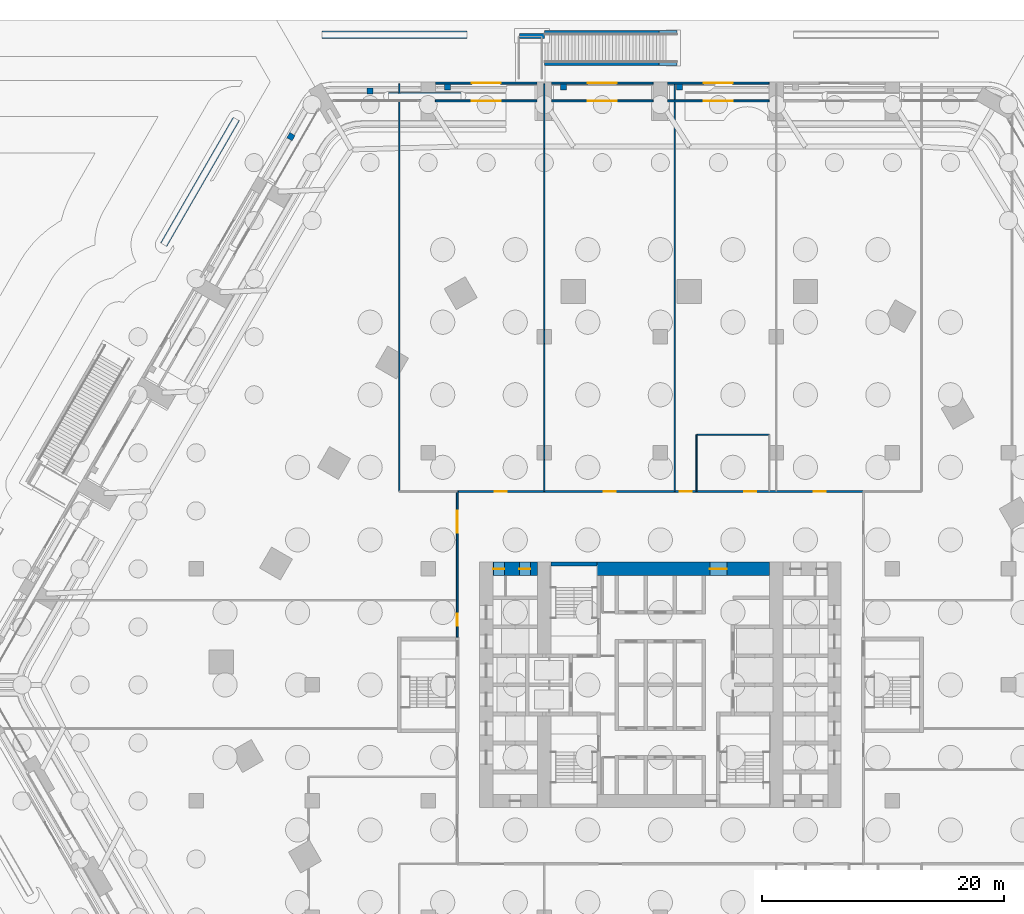
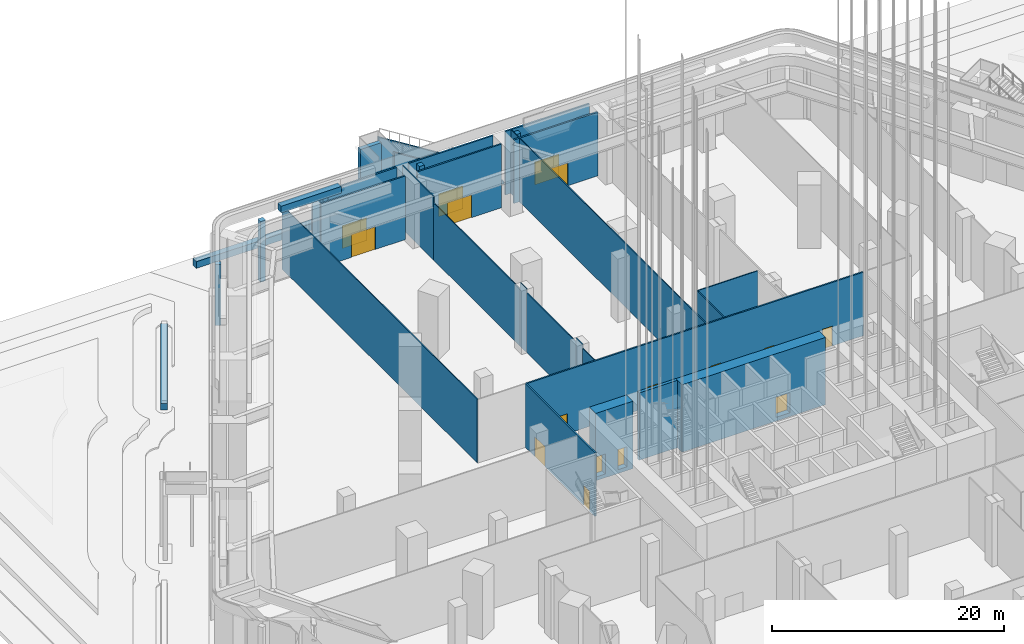
# One storey, part 19 of 68: 32 walls, 16 doors, 16 openings.
"""IFC4 building model written with IfcOpenShell, lengths in metres."""

from ifc_helpers import new_model, si_unit, direction, frame, frame_2d, origin, place, context, subcontext, project, spatial, polyline, rectangle, outline, extrude, material, layer, layer_set, type_object, element, fill, save


model = new_model("IFC4")

# Units and contexts
model_context = context("Model", 3, precision=1e-05, world=origin(), true_north=direction((0.0, 1.0)))
body_context = subcontext(model_context, "Body", "Model", "MODEL_VIEW")
ifc_project = project(units=[si_unit("LENGTHUNIT", "METRE"), si_unit("AREAUNIT", "SQUARE_METRE"), si_unit("VOLUMEUNIT", "CUBIC_METRE"), si_unit("PLANEANGLEUNIT", "RADIAN"), si_unit("MASSUNIT", "GRAM", prefix="KILO")], contexts=[model_context])

# Site, building, storey
site_placement = place(None, origin())
site = spatial("IfcSite", under=ifc_project, at=site_placement, CompositionType="ELEMENT")
building_placement = place(site_placement, origin())
building = spatial("IfcBuilding", under=site, at=building_placement, Name="Kolab Exchange Tower", CompositionType="ELEMENT")
storey_placement = place(building_placement, origin())
storey = spatial("IfcBuildingStorey", under=building, at=storey_placement, Name="L00", CompositionType="ELEMENT", Elevation=0.0)

# Wall, openings, doors
ifc_material_1 = material(Name="Concrete C80/95", Category="concrete")
ifc_layer_1 = layer(ifc_material_1, 1.10009765625)
ifc_layer_set_1 = layer_set([ifc_layer_1], Name="Concrete C80/95")
wall_type_1 = type_object("IfcWallType", Name="CORE WALL 1100 C80/95", PredefinedType="SHEAR", material=ifc_layer_set_1)
wall_1_placement = place(storey_placement, frame((-13.85009765625, 9.60009765625, -0.39990234375), z_axis=(0.0, 0.0, 1.0), x_axis=(1.0, 0.0, 0.0)))
wall_1 = element("IfcWall", 1, at=wall_1_placement, inside=storey, type_object=wall_type_1, Name="wall/L00/core/051", PredefinedType="SHEAR", context=body_context, shape_type="SweptSolid", body=[
    extrude(rectangle(XDim=3.7001953125, YDim=1.10009765625, at=frame_2d((1.85009765625, 0.0))), origin(), (0.0, 0.0, 1.0), 7.099853515625),
])
opening_1_placement = place(wall_1_placement, frame((0.050048828125, 0.0, 0.39990234375)))
opening_1 = element("IfcOpeningElement", 2, at=opening_1_placement, cuts=wall_1, Name="Opening D6-015", PredefinedType="OPENING", context=body_context, shape_type="SweptSolid", body=[
    extrude(rectangle(XDim=0.89990234375, YDim=2.10009765625, at=frame_2d((0.449951171875, 1.050048828125))), frame((0.0, 0.56005859375, 0.0), z_axis=(0.0, -1.0, 0.0), x_axis=(1.0, 0.0, 0.0)), (0.0, 0.0, 1.0), 1.1201171875),
])
opening_2_placement = place(wall_1_placement, frame((2.199951171875, 0.0, 0.39990234375)))
opening_2 = element("IfcOpeningElement", 3, at=opening_2_placement, cuts=wall_1, Name="Opening D6-016", PredefinedType="OPENING", context=body_context, shape_type="SweptSolid", body=[
    extrude(rectangle(XDim=0.89990234375, YDim=2.10009765625, at=frame_2d((0.449951171875, 1.050048828125))), frame((0.0, 0.56005859375, 0.0), z_axis=(0.0, -1.0, 0.0), x_axis=(1.0, 0.0, 0.0)), (0.0, 0.0, 1.0), 1.1201171875),
])
ifc_material_2 = material(Name="Steel S235", Category="steel")
door_type_1 = type_object("IfcDoorType", Name="CORE DOOR 900 EI 120", OperationType="SINGLE_SWING_LEFT", PredefinedType="DOOR", material=ifc_material_2)
door_1_placement = place(opening_1_placement, frame((0.89990234375, 0.0, 0.0), z_axis=(0.0, 0.0, 1.0), x_axis=(-1.0, 0.0, 0.0)))
door_1 = element("IfcDoor", 4, at=door_1_placement, inside=storey, type_object=door_type_1, Name="Service room door", OperationType="SINGLE_SWING_RIGHT", OverallHeight=2.10009765625, OverallWidth=0.89990234375, PredefinedType="DOOR", context=body_context, shape_type="SweptSolid", body=[
    extrude(rectangle(XDim=0.89990234375, YDim=2.10009765625, at=frame_2d((0.449951171875, 1.050048828125))), frame((0.0, 0.02490234375, 0.0), z_axis=(0.0, -1.0, 0.0), x_axis=(1.0, 0.0, 0.0)), (0.0, 0.0, 1.0), 0.050048828125),
])
fill(opening_1, door_1)
door_2_placement = place(opening_2_placement, frame((0.89990234375, 0.0, 0.0), z_axis=(0.0, 0.0, 1.0), x_axis=(-1.0, 0.0, 0.0)))
door_2 = element("IfcDoor", 5, at=door_2_placement, inside=storey, type_object=door_type_1, Name="Service room door", OperationType="SINGLE_SWING_RIGHT", OverallHeight=2.10009765625, OverallWidth=0.89990234375, PredefinedType="DOOR", context=body_context, shape_type="SweptSolid", body=[
    extrude(rectangle(XDim=0.89990234375, YDim=2.10009765625, at=frame_2d((0.449951171875, 1.050048828125))), frame((0.0, 0.02490234375, 0.0), z_axis=(0.0, -1.0, 0.0), x_axis=(1.0, 0.0, 0.0)), (0.0, 0.0, 1.0), 0.050048828125),
])
fill(opening_2, door_2)

# Wall, opening, door
wall_2_placement = place(storey_placement, frame((-5.25, 9.60009765625, -0.39990234375), z_axis=(0.0, 0.0, 1.0), x_axis=(1.0, 0.0, 0.0)))
wall_2 = element("IfcWall", 6, at=wall_2_placement, inside=storey, type_object=wall_type_1, Name="wall/L00/core/052", PredefinedType="SHEAR", context=body_context, shape_type="SweptSolid", body=[
    extrude(rectangle(XDim=14.300048828125, YDim=1.10009765625, at=frame_2d((7.14990234375, 0.0))), origin(), (0.0, 0.0, 1.0), 7.099853515625),
])
opening_3_placement = place(wall_2_placement, frame((9.35009765625, 0.0, 0.39990234375)))
opening_3 = element("IfcOpeningElement", 7, at=opening_3_placement, cuts=wall_2, Name="Opening D5-001", PredefinedType="OPENING", context=body_context, shape_type="SweptSolid", body=[
    extrude(rectangle(XDim=1.39990234375, YDim=2.10009765625, at=frame_2d((0.699951171875, 1.050048828125))), frame((0.0, 0.56005859375, 0.0), z_axis=(0.0, -1.0, 0.0), x_axis=(1.0, 0.0, 0.0)), (0.0, 0.0, 1.0), 1.1201171875),
])
door_type_2 = type_object("IfcDoorType", Name="CORE DOOR 1400 EI 120", OperationType="DOUBLE_DOOR_SINGLE_SWING", PredefinedType="DOOR", material=ifc_material_2)
door_3_placement = place(opening_3_placement, frame((1.39990234375, 0.0, 0.0), z_axis=(0.0, 0.0, 1.0), x_axis=(-1.0, 0.0, 0.0)))
door_3 = element("IfcDoor", 8, at=door_3_placement, inside=storey, type_object=door_type_2, Name="Core lobby door", OperationType="SINGLE_SWING_LEFT", OverallHeight=2.10009765625, OverallWidth=1.39990234375, PredefinedType="DOOR", context=body_context, shape_type="SweptSolid", body=[
    extrude(rectangle(XDim=1.39990234375, YDim=2.10009765625, at=frame_2d((0.699951171875, 1.050048828125))), frame((0.0, 0.02490234375, 0.0), z_axis=(0.0, -1.0, 0.0), x_axis=(1.0, 0.0, 0.0)), (0.0, 0.0, 1.0), 0.050048828125),
])
fill(opening_3, door_3)

ifc_material_3 = material(Name="Aluminium EN AW-6063 T6", Category="aluminium")
ifc_layer_2 = layer(ifc_material_3, 0.159912109375)
ifc_layer_set_2 = layer_set([ifc_layer_2], Name="Aluminium EN AW-6063 T6")
wall_type_2 = type_object("IfcWallType", Name="DOOR SURROUND WALL 160 ALUMINIUM FRAMED", PredefinedType="PARTITIONING", material=ifc_layer_set_2)
wall_3_placement = place(storey_placement, frame((-18.597900390625, 48.302978515625, 0.0), z_axis=(0.0, 0.0, 1.0), x_axis=(1.0, 0.0, 0.0)))
wall_3 = element("IfcWall", 9, at=wall_3_placement, inside=storey, type_object=wall_type_2, Name="Door surround wall", PredefinedType="PARTITIONING", context=body_context, shape_type="SweptSolid", body=[
    extrude(rectangle(XDim=8.39599609375, YDim=0.159912109375, at=frame_2d((4.197998046875, 0.0))), origin(), (0.0, 0.0, 1.0), 6.699951171875),
])
opening_4_placement = place(wall_3_placement, frame((2.998046875, 0.0, 0.0)))
opening_4 = element("IfcOpeningElement", 10, at=opening_4_placement, cuts=wall_3, Name="Opening ED1-004", PredefinedType="OPENING", context=body_context, shape_type="SweptSolid", body=[
    extrude(rectangle(XDim=2.39990234375, YDim=2.39990234375, at=frame_2d((1.199951171875, 1.199951171875))), frame((0.0, 0.08984375, 0.0), z_axis=(0.0, -1.0, 0.0), x_axis=(1.0, 0.0, 0.0)), (0.0, 0.0, 1.0), 0.179931640625),
])
door_type_3 = type_object("IfcDoorType", Name="ENTRANCE DOUBLE DOOR 2400 X 2400", OperationType="DOUBLE_DOOR_DOUBLE_SWING", PredefinedType="DOOR", material=ifc_material_3)
door_4_placement = place(opening_4_placement, origin())
door_4 = element("IfcDoor", 11, at=door_4_placement, inside=storey, type_object=door_type_3, Name="Entrance door", OperationType="DOUBLE_DOOR_DOUBLE_SWING", OverallHeight=2.39990234375, OverallWidth=2.39990234375, PredefinedType="DOOR", context=body_context, shape_type="SweptSolid", body=[
    extrude(rectangle(XDim=2.39990234375, YDim=2.39990234375, at=frame_2d((1.199951171875, 1.199951171875))), frame((0.0, 0.02490234375, 0.0), z_axis=(0.0, -1.0, 0.0), x_axis=(1.0, 0.0, 0.0)), (0.0, 0.0, 1.0), 0.050048828125),
])
fill(opening_4, door_4)

wall_4_placement = place(storey_placement, frame((-8.998046875, 48.302978515625, 0.0), z_axis=(0.0, 0.0, 1.0), x_axis=(1.0, 0.0, 0.0)))
wall_4 = element("IfcWall", 12, at=wall_4_placement, inside=storey, type_object=wall_type_2, Name="Door surround wall", PredefinedType="PARTITIONING", context=body_context, shape_type="SweptSolid", body=[
    extrude(rectangle(XDim=8.39599609375, YDim=0.159912109375, at=frame_2d((4.197998046875, 0.0))), origin(), (0.0, 0.0, 1.0), 6.699951171875),
])
opening_5_placement = place(wall_4_placement, frame((2.998046875, 0.0, 0.0)))
opening_5 = element("IfcOpeningElement", 13, at=opening_5_placement, cuts=wall_4, Name="Opening ED1-001", PredefinedType="OPENING", context=body_context, shape_type="SweptSolid", body=[
    extrude(rectangle(XDim=2.39990234375, YDim=2.39990234375, at=frame_2d((1.199951171875, 1.199951171875))), frame((0.0, 0.08984375, 0.0), z_axis=(0.0, -1.0, 0.0), x_axis=(1.0, 0.0, 0.0)), (0.0, 0.0, 1.0), 0.179931640625),
])
door_5_placement = place(opening_5_placement, origin())
door_5 = element("IfcDoor", 14, at=door_5_placement, inside=storey, type_object=door_type_3, Name="Entrance door", OperationType="DOUBLE_DOOR_DOUBLE_SWING", OverallHeight=2.39990234375, OverallWidth=2.39990234375, PredefinedType="DOOR", context=body_context, shape_type="SweptSolid", body=[
    extrude(rectangle(XDim=2.39990234375, YDim=2.39990234375, at=frame_2d((1.199951171875, 1.199951171875))), frame((0.0, 0.02490234375, 0.0), z_axis=(0.0, -1.0, 0.0), x_axis=(1.0, 0.0, 0.0)), (0.0, 0.0, 1.0), 0.050048828125),
])
fill(opening_5, door_5)

wall_5_placement = place(storey_placement, frame((0.60205078125, 48.302978515625, 0.0), z_axis=(0.0, 0.0, 1.0), x_axis=(1.0, 0.0, 0.0)))
wall_5 = element("IfcWall", 15, at=wall_5_placement, inside=storey, type_object=wall_type_2, Name="Door surround wall", PredefinedType="PARTITIONING", context=body_context, shape_type="SweptSolid", body=[
    extrude(rectangle(XDim=8.39599609375, YDim=0.159912109375, at=frame_2d((4.197998046875, 0.0))), origin(), (0.0, 0.0, 1.0), 6.699951171875),
])
opening_6_placement = place(wall_5_placement, frame((2.998046875, 0.0, 0.0)))
opening_6 = element("IfcOpeningElement", 16, at=opening_6_placement, cuts=wall_5, Name="Opening ED1-002", PredefinedType="OPENING", context=body_context, shape_type="SweptSolid", body=[
    extrude(rectangle(XDim=2.39990234375, YDim=2.39990234375, at=frame_2d((1.199951171875, 1.199951171875))), frame((0.0, 0.08984375, 0.0), z_axis=(0.0, -1.0, 0.0), x_axis=(1.0, 0.0, 0.0)), (0.0, 0.0, 1.0), 0.179931640625),
])
door_6_placement = place(opening_6_placement, origin())
door_6 = element("IfcDoor", 17, at=door_6_placement, inside=storey, type_object=door_type_3, Name="Entrance door", OperationType="DOUBLE_DOOR_DOUBLE_SWING", OverallHeight=2.39990234375, OverallWidth=2.39990234375, PredefinedType="DOOR", context=body_context, shape_type="SweptSolid", body=[
    extrude(rectangle(XDim=2.39990234375, YDim=2.39990234375, at=frame_2d((1.199951171875, 1.199951171875))), frame((0.0, 0.02490234375, 0.0), z_axis=(0.0, -1.0, 0.0), x_axis=(1.0, 0.0, 0.0)), (0.0, 0.0, 1.0), 0.050048828125),
])
fill(opening_6, door_6)

wall_6_placement = place(storey_placement, frame((-18.595947265625, 49.782958984375, 0.0), z_axis=(0.0, 0.0, 1.0), x_axis=(1.0, 0.0, 0.0)))
wall_6 = element("IfcWall", 18, at=wall_6_placement, inside=storey, type_object=wall_type_2, Name="Door surround wall", PredefinedType="PARTITIONING", context=body_context, shape_type="SweptSolid", body=[
    extrude(rectangle(XDim=8.391845703125, YDim=0.159912109375, at=frame_2d((4.19580078125, 0.0))), origin(), (0.0, 0.0, 1.0), 6.699951171875),
])
opening_7_placement = place(wall_6_placement, frame((2.99609375, 0.0, 0.0)))
opening_7 = element("IfcOpeningElement", 19, at=opening_7_placement, cuts=wall_6, Name="Opening ED1-023", PredefinedType="OPENING", context=body_context, shape_type="SweptSolid", body=[
    extrude(rectangle(XDim=2.39990234375, YDim=2.39990234375, at=frame_2d((1.199951171875, 1.199951171875))), frame((0.0, 0.08984375, 0.0), z_axis=(0.0, -1.0, 0.0), x_axis=(1.0, 0.0, 0.0)), (0.0, 0.0, 1.0), 0.179931640625),
])
door_7_placement = place(opening_7_placement, origin())
door_7 = element("IfcDoor", 20, at=door_7_placement, inside=storey, type_object=door_type_3, Name="Entrance door", OperationType="DOUBLE_DOOR_DOUBLE_SWING", OverallHeight=2.39990234375, OverallWidth=2.39990234375, PredefinedType="DOOR", context=body_context, shape_type="SweptSolid", body=[
    extrude(rectangle(XDim=2.39990234375, YDim=2.39990234375, at=frame_2d((1.199951171875, 1.199951171875))), frame((0.0, 0.02490234375, 0.0), z_axis=(0.0, -1.0, 0.0), x_axis=(1.0, 0.0, 0.0)), (0.0, 0.0, 1.0), 0.050048828125),
])
fill(opening_7, door_7)

wall_7_placement = place(storey_placement, frame((-8.99609375, 49.782958984375, 0.0), z_axis=(0.0, 0.0, 1.0), x_axis=(1.0, 0.0, 0.0)))
wall_7 = element("IfcWall", 21, at=wall_7_placement, inside=storey, type_object=wall_type_2, Name="Door surround wall", PredefinedType="PARTITIONING", context=body_context, shape_type="SweptSolid", body=[
    extrude(rectangle(XDim=8.39208984375, YDim=0.159912109375, at=frame_2d((4.196044921875, 0.0))), origin(), (0.0, 0.0, 1.0), 6.699951171875),
])
opening_8_placement = place(wall_7_placement, frame((2.99609375, 0.0, 0.0)))
opening_8 = element("IfcOpeningElement", 22, at=opening_8_placement, cuts=wall_7, Name="Opening ED1-024", PredefinedType="OPENING", context=body_context, shape_type="SweptSolid", body=[
    extrude(rectangle(XDim=2.39990234375, YDim=2.39990234375, at=frame_2d((1.199951171875, 1.199951171875))), frame((0.0, 0.08984375, 0.0), z_axis=(0.0, -1.0, 0.0), x_axis=(1.0, 0.0, 0.0)), (0.0, 0.0, 1.0), 0.179931640625),
])
door_8_placement = place(opening_8_placement, origin())
door_8 = element("IfcDoor", 23, at=door_8_placement, inside=storey, type_object=door_type_3, Name="Entrance door", OperationType="DOUBLE_DOOR_DOUBLE_SWING", OverallHeight=2.39990234375, OverallWidth=2.39990234375, PredefinedType="DOOR", context=body_context, shape_type="SweptSolid", body=[
    extrude(rectangle(XDim=2.39990234375, YDim=2.39990234375, at=frame_2d((1.199951171875, 1.199951171875))), frame((0.0, 0.02490234375, 0.0), z_axis=(0.0, -1.0, 0.0), x_axis=(1.0, 0.0, 0.0)), (0.0, 0.0, 1.0), 0.050048828125),
])
fill(opening_8, door_8)

wall_8_placement = place(storey_placement, frame((0.60400390625, 49.782958984375, 0.0), z_axis=(0.0, 0.0, 1.0), x_axis=(1.0, 0.0, 0.0)))
wall_8 = element("IfcWall", 24, at=wall_8_placement, inside=storey, type_object=wall_type_2, Name="Door surround wall", PredefinedType="PARTITIONING", context=body_context, shape_type="SweptSolid", body=[
    extrude(rectangle(XDim=8.39208984375, YDim=0.159912109375, at=frame_2d((4.196044921875, 0.0))), origin(), (0.0, 0.0, 1.0), 6.699951171875),
])
opening_9_placement = place(wall_8_placement, frame((2.99609375, 0.0, 0.0)))
opening_9 = element("IfcOpeningElement", 25, at=opening_9_placement, cuts=wall_8, Name="Opening ED1-025", PredefinedType="OPENING", context=body_context, shape_type="SweptSolid", body=[
    extrude(rectangle(XDim=2.39990234375, YDim=2.39990234375, at=frame_2d((1.199951171875, 1.199951171875))), frame((0.0, 0.08984375, 0.0), z_axis=(0.0, -1.0, 0.0), x_axis=(1.0, 0.0, 0.0)), (0.0, 0.0, 1.0), 0.179931640625),
])
door_9_placement = place(opening_9_placement, origin())
door_9 = element("IfcDoor", 26, at=door_9_placement, inside=storey, type_object=door_type_3, Name="Entrance door", OperationType="DOUBLE_DOOR_DOUBLE_SWING", OverallHeight=2.39990234375, OverallWidth=2.39990234375, PredefinedType="DOOR", context=body_context, shape_type="SweptSolid", body=[
    extrude(rectangle(XDim=2.39990234375, YDim=2.39990234375, at=frame_2d((1.199951171875, 1.199951171875))), frame((0.0, 0.02490234375, 0.0), z_axis=(0.0, -1.0, 0.0), x_axis=(1.0, 0.0, 0.0)), (0.0, 0.0, 1.0), 0.050048828125),
])
fill(opening_9, door_9)

# Walls
ifc_material_4 = material(Name="Gypsum board", Category="gypsum")
ifc_layer_3 = layer(ifc_material_4, 0.10009765625)
ifc_layer_set_3 = layer_set([ifc_layer_3], Name="Gypsum board")
wall_type_3 = type_object("IfcWallType", Name="PARTITION 100", PredefinedType="PARTITIONING", material=ifc_layer_set_3)
wall_9_placement = place(storey_placement, frame((3.0, 16.0, 0.0), z_axis=(0.0, 0.0, 1.0), x_axis=(0.0, 1.0, 0.0)))
element("IfcWall", 27, at=wall_9_placement, inside=storey, type_object=wall_type_3, Name="Partition 013", PredefinedType="PARTITIONING", context=body_context, shape_type="SweptSolid", body=[
    extrude(rectangle(XDim=4.699951171875, YDim=0.10009765625, at=frame_2d((2.35009765625, 0.0))), origin(), (0.0, 0.0, 1.0), 6.699951171875),
])
wall_10_placement = place(storey_placement, frame((1.199951171875, 16.0, 0.0), z_axis=(0.0, 0.0, 1.0), x_axis=(0.0, 1.0, 0.0)))
element("IfcWall", 28, at=wall_10_placement, inside=storey, type_object=wall_type_3, Name="Partition 014", PredefinedType="PARTITIONING", context=body_context, shape_type="SweptSolid", body=[
    extrude(rectangle(XDim=33.713134765625, YDim=0.10009765625, at=frame_2d((16.8564453125, 0.0))), origin(), (0.0, 0.0, 1.0), 6.699951171875),
])
wall_11_placement = place(storey_placement, frame((-9.60009765625, 29.360107421875, 0.0), z_axis=(0.0, 0.0, 1.0), x_axis=(0.0, 1.0, 0.0)))
element("IfcWall", 29, at=wall_11_placement, inside=storey, type_object=wall_type_3, Name="Partition 018", PredefinedType="PARTITIONING", context=body_context, shape_type="SweptSolid", body=[
    extrude(rectangle(XDim=15.006103515625, YDim=0.10009765625, at=frame_2d((7.5029296875, 0.0))), origin(), (0.0, 0.0, 1.0), 6.01611328125),
])
wall_12_placement = place(storey_placement, frame((-9.60009765625, 16.0, 0.0), z_axis=(0.0, 0.0, 1.0), x_axis=(0.0, 1.0, 0.0)))
element("IfcWall", 30, at=wall_12_placement, inside=storey, type_object=wall_type_3, Name="Partition 018", PredefinedType="PARTITIONING", context=body_context, shape_type="SweptSolid", body=[
    extrude(rectangle(XDim=2.639892578125, YDim=0.10009765625, at=frame_2d((1.31982421875, 0.0))), origin(), (0.0, 0.0, 1.0), 6.29296875),
])
wall_13_placement = place(storey_placement, frame((-9.60009765625, 18.639892578125, 0.0), z_axis=(0.0, 0.0, 1.0), x_axis=(0.0, 1.0, 0.0)))
element("IfcWall", 31, at=wall_13_placement, inside=storey, type_object=wall_type_3, Name="Partition 018", PredefinedType="PARTITIONING", context=body_context, shape_type="SweptSolid", body=[
    extrude(rectangle(XDim=1.1201171875, YDim=0.10009765625, at=frame_2d((0.56005859375, 0.0))), origin(), (0.0, 0.0, 1.0), 6.699951171875),
])
wall_14_placement = place(storey_placement, frame((-9.60009765625, 19.760009765625, 0.0), z_axis=(0.0, 0.0, 1.0), x_axis=(0.0, 1.0, 0.0)))
element("IfcWall", 32, at=wall_14_placement, inside=storey, type_object=wall_type_3, Name="Partition 018", PredefinedType="PARTITIONING", context=body_context, shape_type="SweptSolid", body=[
    extrude(rectangle(XDim=8.47998046875, YDim=0.10009765625, at=frame_2d((4.239990234375, 0.0))), origin(), (0.0, 0.0, 1.0), 6.29296875),
])
wall_15_placement = place(storey_placement, frame((-9.60009765625, 28.239990234375, 0.0), z_axis=(0.0, 0.0, 1.0), x_axis=(0.0, 1.0, 0.0)))
element("IfcWall", 33, at=wall_15_placement, inside=storey, type_object=wall_type_3, Name="Partition 018", PredefinedType="PARTITIONING", context=body_context, shape_type="SweptSolid", body=[
    extrude(rectangle(XDim=1.1201171875, YDim=0.10009765625, at=frame_2d((0.56005859375, 0.0))), origin(), (0.0, 0.0, 1.0), 6.699951171875),
])
wall_16_placement = place(storey_placement, frame((-9.60009765625, 44.3662109375, 0.0), z_axis=(0.0, 0.0, 1.0), x_axis=(0.0, 1.0, 0.0)))
element("IfcWall", 34, at=wall_16_placement, inside=storey, type_object=wall_type_3, Name="Partition 018", PredefinedType="PARTITIONING", context=body_context, shape_type="SweptSolid", body=[
    extrude(rectangle(XDim=5.346923828125, YDim=0.10009765625, at=frame_2d((2.67333984375, 0.0))), origin(), (0.0, 0.0, 1.0), 6.699951171875),
])
wall_17_placement = place(storey_placement, frame((-21.60009765625, 16.0, 0.0), z_axis=(0.0, 0.0, 1.0), x_axis=(0.0, 1.0, 0.0)))
element("IfcWall", 35, at=wall_17_placement, inside=storey, type_object=wall_type_3, Name="Partition 023", PredefinedType="PARTITIONING", context=body_context, shape_type="SweptSolid", body=[
    extrude(rectangle(XDim=33.713134765625, YDim=0.10009765625, at=frame_2d((16.8564453125, 0.0))), origin(), (0.0, 0.0, 1.0), 6.699951171875),
])
wall_18_placement = place(storey_placement, frame((3.0, 20.699951171875, 0.0), z_axis=(0.0, 0.0, 1.0), x_axis=(1.0, 0.0, 0.0)))
element("IfcWall", 36, at=wall_18_placement, inside=storey, type_object=wall_type_3, Name="Partition 041", PredefinedType="PARTITIONING", context=body_context, shape_type="SweptSolid", body=[
    extrude(rectangle(XDim=6.0, YDim=0.10009765625, at=frame_2d((3.0, 0.0))), origin(), (0.0, 0.0, 1.0), 6.699951171875),
])

# Wall, openings, doors
ifc_layer_4 = layer(ifc_material_4, 0.14990234375)
ifc_layer_set_4 = layer_set([ifc_layer_4], Name="Gypsum board")
wall_type_4 = type_object("IfcWallType", Name="PARTITION 150 FIRE-RATED", PredefinedType="PARTITIONING", material=ifc_layer_set_4)
wall_19_placement = place(storey_placement, frame((-16.800048828125, 3.949951171875, 0.0), z_axis=(0.0, 0.0, 1.0), x_axis=(0.0, 1.0, 0.0)))
wall_19 = element("IfcWall", 37, at=wall_19_placement, inside=storey, type_object=wall_type_4, Name="Partition 021", PredefinedType="PARTITIONING", context=body_context, shape_type="SweptSolid", body=[
    extrude(rectangle(XDim=12.050048828125, YDim=0.14990234375, at=frame_2d((6.02490234375, 0.0))), origin(), (0.0, 0.0, 1.0), 6.699951171875),
])
opening_10_placement = place(wall_19_placement, frame((0.949951171875, 0.0, 0.0)))
opening_10 = element("IfcOpeningElement", 38, at=opening_10_placement, cuts=wall_19, Name="Opening D1-010", PredefinedType="OPENING", context=body_context, shape_type="SweptSolid", body=[
    extrude(rectangle(XDim=1.0, YDim=2.10009765625, at=frame_2d((0.5, 1.050048828125))), frame((0.0, 0.0849609375, 0.0), z_axis=(0.0, -1.0, 0.0), x_axis=(1.0, 0.0, 0.0)), (0.0, 0.0, 1.0), 0.169921875),
])
opening_11_placement = place(wall_19_placement, frame((8.64501953125, 0.0, 0.0)))
opening_11 = element("IfcOpeningElement", 39, at=opening_11_placement, cuts=wall_19, Name="Opening D2-004", PredefinedType="OPENING", context=body_context, shape_type="SweptSolid", body=[
    extrude(rectangle(XDim=1.800048828125, YDim=2.10009765625, at=frame_2d((0.89990234375, 1.050048828125))), frame((0.0, 0.0849609375, 0.0), z_axis=(0.0, -1.0, 0.0), x_axis=(1.0, 0.0, 0.0)), (0.0, 0.0, 1.0), 0.169921875),
])
door_type_4 = type_object("IfcDoorType", Name="DOUBLE DOOR 1800 FD60", OperationType="DOUBLE_DOOR_SINGLE_SWING", PredefinedType="DOOR", material=ifc_material_2)
door_10_placement = place(opening_11_placement, origin())
door_10 = element("IfcDoor", 40, at=door_10_placement, inside=storey, type_object=door_type_4, Name="Door L00-063", OperationType="SINGLE_SWING_RIGHT", OverallHeight=2.10009765625, OverallWidth=1.800048828125, PredefinedType="DOOR", context=body_context, shape_type="SweptSolid", body=[
    extrude(rectangle(XDim=1.800048828125, YDim=2.10009765625, at=frame_2d((0.89990234375, 1.050048828125))), frame((0.0, 0.02490234375, 0.0), z_axis=(0.0, -1.0, 0.0), x_axis=(1.0, 0.0, 0.0)), (0.0, 0.0, 1.0), 0.050048828125),
])
fill(opening_11, door_10)
door_type_5 = type_object("IfcDoorType", Name="FLUSH DOOR 1000 FD60", OperationType="SINGLE_SWING_LEFT", PredefinedType="DOOR", material=ifc_material_2)
door_11_placement = place(opening_10_placement, origin())
door_11 = element("IfcDoor", 41, at=door_11_placement, inside=storey, type_object=door_type_5, Name="Door L00-062", OperationType="SINGLE_SWING_RIGHT", OverallHeight=2.10009765625, OverallWidth=1.0, PredefinedType="DOOR", context=body_context, shape_type="SweptSolid", body=[
    extrude(rectangle(XDim=1.0, YDim=2.10009765625, at=frame_2d((0.5, 1.050048828125))), frame((0.0, 0.02490234375, 0.0), z_axis=(0.0, -1.0, 0.0), x_axis=(1.0, 0.0, 0.0)), (0.0, 0.0, 1.0), 0.050048828125),
])
fill(opening_10, door_11)

wall_20_placement = place(storey_placement, frame((-16.800048828125, 16.0, 0.0), z_axis=(0.0, 0.0, 1.0), x_axis=(1.0, 0.0, 0.0)))
wall_20 = element("IfcWall", 42, at=wall_20_placement, inside=storey, type_object=wall_type_4, Name="Partition 040", PredefinedType="PARTITIONING", context=body_context, shape_type="SweptSolid", body=[
    extrude(rectangle(XDim=33.60009765625, YDim=0.14990234375, at=frame_2d((16.800048828125, 0.0))), origin(), (0.0, 0.0, 1.0), 6.699951171875),
])
opening_12_placement = place(wall_20_placement, frame((3.10009765625, 0.0, 0.0)))
opening_12 = element("IfcOpeningElement", 43, at=opening_12_placement, cuts=wall_20, Name="Opening D1-001", PredefinedType="OPENING", context=body_context, shape_type="SweptSolid", body=[
    extrude(rectangle(XDim=1.0, YDim=2.10009765625, at=frame_2d((0.5, 1.050048828125))), frame((0.0, 0.0849609375, 0.0), z_axis=(0.0, -1.0, 0.0), x_axis=(1.0, 0.0, 0.0)), (0.0, 0.0, 1.0), 0.169921875),
])
opening_13_placement = place(wall_20_placement, frame((12.10009765625, 0.0, 0.0)))
opening_13 = element("IfcOpeningElement", 44, at=opening_13_placement, cuts=wall_20, Name="Opening D1-002", PredefinedType="OPENING", context=body_context, shape_type="SweptSolid", body=[
    extrude(rectangle(XDim=1.0, YDim=2.10009765625, at=frame_2d((0.5, 1.050048828125))), frame((0.0, 0.0849609375, 0.0), z_axis=(0.0, -1.0, 0.0), x_axis=(1.0, 0.0, 0.0)), (0.0, 0.0, 1.0), 0.169921875),
])
opening_14_placement = place(wall_20_placement, frame((29.5, 0.0, 0.0)))
opening_14 = element("IfcOpeningElement", 45, at=opening_14_placement, cuts=wall_20, Name="Opening D1-003", PredefinedType="OPENING", context=body_context, shape_type="SweptSolid", body=[
    extrude(rectangle(XDim=1.0, YDim=2.10009765625, at=frame_2d((0.5, 1.050048828125))), frame((0.0, 0.0849609375, 0.0), z_axis=(0.0, -1.0, 0.0), x_axis=(1.0, 0.0, 0.0)), (0.0, 0.0, 1.0), 0.169921875),
])
opening_15_placement = place(wall_20_placement, frame((23.735107421875, 0.0, 0.0)))
opening_15 = element("IfcOpeningElement", 46, at=opening_15_placement, cuts=wall_20, Name="Opening D1-011", PredefinedType="OPENING", context=body_context, shape_type="SweptSolid", body=[
    extrude(rectangle(XDim=1.0, YDim=2.10009765625, at=frame_2d((0.5, 1.050048828125))), frame((0.0, 0.0849609375, 0.0), z_axis=(0.0, -1.0, 0.0), x_axis=(1.0, 0.0, 0.0)), (0.0, 0.0, 1.0), 0.169921875),
])
opening_16_placement = place(wall_20_placement, frame((18.39990234375, 0.0, 0.0)))
opening_16 = element("IfcOpeningElement", 47, at=opening_16_placement, cuts=wall_20, Name="Opening D1-012", PredefinedType="OPENING", context=body_context, shape_type="SweptSolid", body=[
    extrude(rectangle(XDim=1.0, YDim=2.10009765625, at=frame_2d((0.5, 1.050048828125))), frame((0.0, 0.0849609375, 0.0), z_axis=(0.0, -1.0, 0.0), x_axis=(1.0, 0.0, 0.0)), (0.0, 0.0, 1.0), 0.169921875),
])
door_12_placement = place(opening_12_placement, origin())
door_12 = element("IfcDoor", 48, at=door_12_placement, inside=storey, type_object=door_type_5, Name="Door L00-048", OperationType="SINGLE_SWING_RIGHT", OverallHeight=2.10009765625, OverallWidth=1.0, PredefinedType="DOOR", context=body_context, shape_type="SweptSolid", body=[
    extrude(rectangle(XDim=1.0, YDim=2.10009765625, at=frame_2d((0.5, 1.050048828125))), frame((0.0, 0.02490234375, 0.0), z_axis=(0.0, -1.0, 0.0), x_axis=(1.0, 0.0, 0.0)), (0.0, 0.0, 1.0), 0.050048828125),
])
fill(opening_12, door_12)
door_13_placement = place(opening_13_placement, origin())
door_13 = element("IfcDoor", 49, at=door_13_placement, inside=storey, type_object=door_type_5, Name="Door L00-049", OperationType="SINGLE_SWING_LEFT", OverallHeight=2.10009765625, OverallWidth=1.0, PredefinedType="DOOR", context=body_context, shape_type="SweptSolid", body=[
    extrude(rectangle(XDim=1.0, YDim=2.10009765625, at=frame_2d((0.5, 1.050048828125))), frame((0.0, 0.02490234375, 0.0), z_axis=(0.0, -1.0, 0.0), x_axis=(1.0, 0.0, 0.0)), (0.0, 0.0, 1.0), 0.050048828125),
])
fill(opening_13, door_13)
door_14_placement = place(opening_14_placement, origin())
door_14 = element("IfcDoor", 50, at=door_14_placement, inside=storey, type_object=door_type_5, Name="Door L00-050", OperationType="SINGLE_SWING_LEFT", OverallHeight=2.10009765625, OverallWidth=1.0, PredefinedType="DOOR", context=body_context, shape_type="SweptSolid", body=[
    extrude(rectangle(XDim=1.0, YDim=2.10009765625, at=frame_2d((0.5, 1.050048828125))), frame((0.0, 0.02490234375, 0.0), z_axis=(0.0, -1.0, 0.0), x_axis=(1.0, 0.0, 0.0)), (0.0, 0.0, 1.0), 0.050048828125),
])
fill(opening_14, door_14)
door_15_placement = place(opening_15_placement, origin())
door_15 = element("IfcDoor", 51, at=door_15_placement, inside=storey, type_object=door_type_5, Name="Door L00-064", OperationType="SINGLE_SWING_RIGHT", OverallHeight=2.10009765625, OverallWidth=1.0, PredefinedType="DOOR", context=body_context, shape_type="SweptSolid", body=[
    extrude(rectangle(XDim=1.0, YDim=2.10009765625, at=frame_2d((0.5, 1.050048828125))), frame((0.0, 0.02490234375, 0.0), z_axis=(0.0, -1.0, 0.0), x_axis=(1.0, 0.0, 0.0)), (0.0, 0.0, 1.0), 0.050048828125),
])
fill(opening_15, door_15)
door_16_placement = place(opening_16_placement, origin())
door_16 = element("IfcDoor", 52, at=door_16_placement, inside=storey, type_object=door_type_5, Name="Door L00-065", OperationType="SINGLE_SWING_LEFT", OverallHeight=2.10009765625, OverallWidth=1.0, PredefinedType="DOOR", context=body_context, shape_type="SweptSolid", body=[
    extrude(rectangle(XDim=1.0, YDim=2.10009765625, at=frame_2d((0.5, 1.050048828125))), frame((0.0, 0.02490234375, 0.0), z_axis=(0.0, -1.0, 0.0), x_axis=(1.0, 0.0, 0.0)), (0.0, 0.0, 1.0), 0.050048828125),
])
fill(opening_16, door_16)

# Walls
ifc_material_5 = material(Name="Granite facing", Category="masonry")
ifc_layer_5 = layer(ifc_material_5, 0.0400390625)
ifc_material_6 = material(Name="Concrete C40/50 precast", Category="concrete")
ifc_layer_6 = layer(ifc_material_6, 0.56005859375)
ifc_layer_set_5 = layer_set([ifc_layer_5, ifc_layer_6], Name="Concrete C40/50 precast")
wall_type_5 = type_object("IfcWallType", Name="PLANTER BOX 600 X 700 SOIL DEPTH 550", PredefinedType="USERDEFINED", material=ifc_layer_set_5)
wall_21_placement = place(storey_placement, frame((-22.489013671875, 48.6826171875, 7.0), z_axis=(0.0, 0.0, 1.0), x_axis=(1.0, 0.0, 0.0)))
element("IfcWall", 53, at=wall_21_placement, inside=storey, type_object=wall_type_5, Name="Planter", ObjectType="PLANTER", PredefinedType="USERDEFINED", context=body_context, shape_type="SweptSolid", body=[
    extrude(rectangle(XDim=6.0, YDim=0.60009765625, at=frame_2d((3.0, 0.0))), origin(), (0.0, 0.0, 1.0), 0.699951171875),
])
for number, where, z_axis, x_axis, name in (
    (54, (-28.0, 53.782958984375, 0.0), (0.0, 0.0, 1.0), (1.0, 0.0, 0.0), "Planter"),
    (55, (-41.077392578125, 36.417724609375, 0.0), (0.0, 0.0, 1.0), (0.49999894854, 0.866026010844, 0.0), "Planter"),
):
    element("IfcWall", number, at=place(storey_placement, frame(where, z_axis=z_axis, x_axis=x_axis)), inside=storey, type_object=wall_type_5, Name=name, ObjectType="PLANTER", PredefinedType="USERDEFINED", context=body_context, shape_type="SweptSolid", body=[
        extrude(rectangle(XDim=12.0, YDim=0.60009765625, at=frame_2d((6.0, 0.0))), origin(), (0.0, 0.0, 1.0), 0.699951171875),
    ])
ifc_layer_7 = layer(ifc_material_5, 0.0400390625)
ifc_material_7 = material(Name="Concrete C40/50", Category="concrete")
ifc_layer_8 = layer(ifc_material_7, 0.2099609375)
ifc_layer_set_6 = layer_set([ifc_layer_7, ifc_layer_8], Name="Concrete C40/50")
wall_type_6 = type_object("IfcWallType", Name="STAIR CHEEK WALL 250", PredefinedType="SOLIDWALL", material=ifc_layer_set_6)
for number, where, z_axis, x_axis, name in (
    (56, (1.360107421875, 51.358154296875, 0.0), (0.0, 0.0, 1.0), (-1.0, 0.0, 0.0), "Stair cheek wall"),
    (57, (1.360107421875, 54.008056640625, 0.0), (0.0, 0.0, 1.0), (-1.0, 0.0, 0.0), "Stair cheek wall"),
):
    element("IfcWall", number, at=place(storey_placement, frame(where, z_axis=z_axis, x_axis=x_axis)), inside=storey, type_object=wall_type_6, Name=name, PredefinedType="SOLIDWALL", context=body_context, shape_type="SweptSolid", body=[
        extrude(outline(polyline([(0.0, 0.0), (10.920166015625, 0.0), (10.919921875, 7.10009765625), (0.0, 0.27490234375), (0.0, 0.0)])), frame((0.0, 0.125, 0.0), z_axis=(0.0, -1.0, 0.0), x_axis=(1.0, 0.0, 0.0)), (0.0, 0.0, 1.0), 0.25),
    ])
ifc_material_8 = material(Name="Concrete C50/60", Category="concrete")
ifc_layer_9 = layer(ifc_material_8, 0.300048828125)
ifc_layer_set_7 = layer_set([ifc_layer_9], Name="Concrete C50/60")
wall_type_7 = type_object("IfcWallType", Name="STAIR ENCLOSURE WALL 300 C50/60", PredefinedType="STANDARD", material=ifc_layer_set_7)
wall_22_placement = place(storey_placement, frame((-9.050048828125, 10.0, -0.39990234375), z_axis=(0.0, 0.0, 1.0), x_axis=(1.0, 0.0, 0.0)))
element("IfcWall", 58, at=wall_22_placement, inside=storey, type_object=wall_type_7, Name="wall/L00/core/054", PredefinedType="STANDARD", context=body_context, shape_type="SweptSolid", body=[
    extrude(rectangle(XDim=3.800048828125, YDim=0.300048828125, at=frame_2d((1.89990234375, 0.0))), origin(), (0.0, 0.0, 1.0), 7.099853515625),
])
ifc_layer_10 = layer(ifc_material_7, 0.39990234375)
ifc_layer_set_8 = layer_set([ifc_layer_10], Name="Concrete C40/50")
wall_type_8 = type_object("IfcWallType", Name="STAIR LANDING SUPPORT PIER 2100 X 400", PredefinedType="SOLIDWALL", material=ifc_layer_set_8)
wall_23_placement = place(storey_placement, frame((-11.659912109375, 53.68310546875, 0.0), z_axis=(0.0, 0.0, 1.0), x_axis=(1.0, 0.0, 0.0)))
element("IfcWall", 59, at=wall_23_placement, inside=storey, type_object=wall_type_8, Name="Stair landing support pier", PredefinedType="SOLIDWALL", context=body_context, shape_type="SweptSolid", body=[
    extrude(rectangle(XDim=2.099853515625, YDim=0.39990234375, at=frame_2d((1.0498046875, 0.0))), origin(), (0.0, 0.0, 1.0), 6.800048828125),
])
ifc_layer_11 = layer(ifc_material_5, 0.5)
ifc_layer_set_9 = layer_set([ifc_layer_11], Name="Granite facing")
wall_type_9 = type_object("IfcWallType", Name="STONE FACADE FIN 500 X 500", PredefinedType="SOLIDWALL", material=ifc_layer_set_9)
for number, where, z_axis, x_axis, name in (
    (60, (-24.25, 49.133056640625, 0.0), (0.0, 0.0, 1.0), (1.0, 0.0, 0.0), "Stone facade fin"),
    (61, (-17.85009765625, 49.453125, 0.0), (0.0, 0.0, 1.0), (1.0, 0.0, 0.0), "Stone facade fin"),
    (62, (-8.25, 49.453125, 0.0), (0.0, 0.0, 1.0), (1.0, 0.0, 0.0), "Stone facade fin"),
    (63, (1.35009765625, 49.453125, 0.0), (0.0, 0.0, 1.0), (1.0, 0.0, 0.0), "Stone facade fin"),
    (64, (-30.675048828125, 45.134521484375, 0.0), (0.0, 0.0, 1.0), (0.499919672301, 0.866071776036, 0.0), "Stone facade fin"),
):
    element("IfcWall", number, at=place(storey_placement, frame(where, z_axis=z_axis, x_axis=x_axis)), inside=storey, type_object=wall_type_9, Name=name, PredefinedType="SOLIDWALL", context=body_context, shape_type="SweptSolid", body=[
        extrude(rectangle(XDim=0.5, YDim=0.5, at=frame_2d((0.25, 0.0))), origin(), (0.0, 0.0, 1.0), 6.39990234375),
    ])

save(model, "model.ifc")
